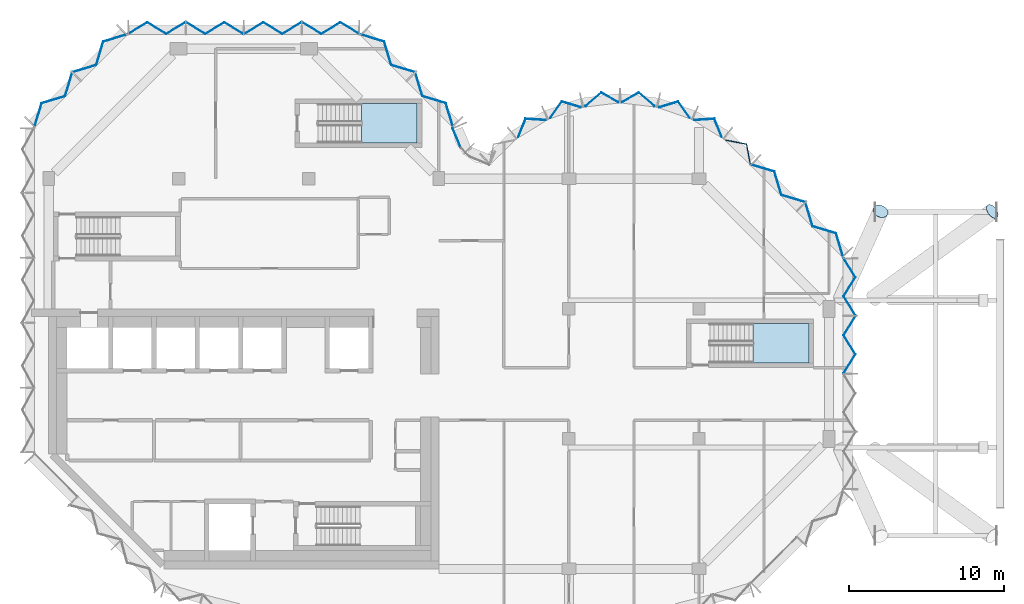
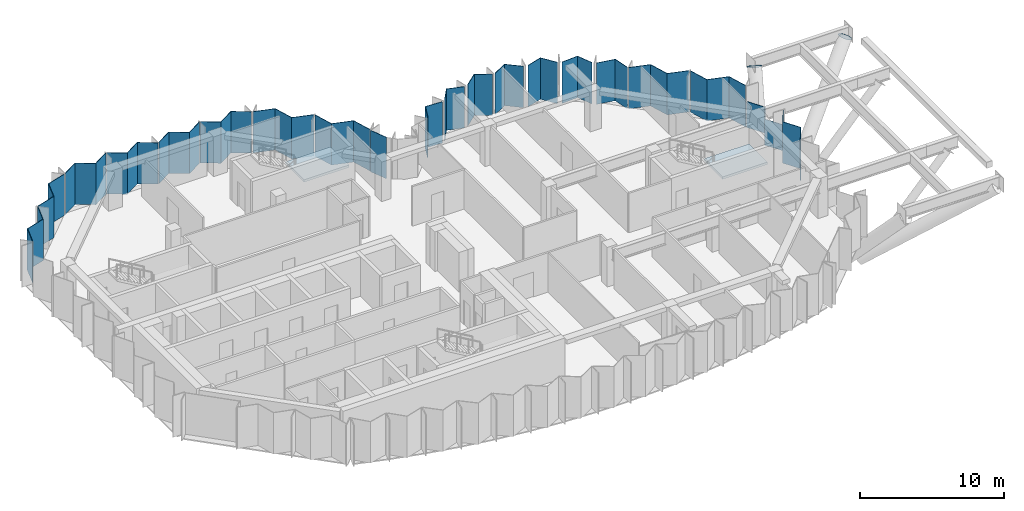
# One storey, part 4 of 11: 22 plates, 2 slabs, 9 elements without a shape of their own.
"""IFC4 building model written with IfcOpenShell, lengths in metres."""

from ifc_helpers import new_model, si_unit, direction, frame, origin, origin_2d, place, context, subcontext, project, spatial, polyline, circle, outline, extrude, material, layer, layer_set, material_profile, profile_set, type_object, element, aggregate, save


model = new_model("IFC4")

# Units and contexts
model_context = context("Model", 3, precision=1e-05, world=origin(), true_north=direction((0.0, 1.0)))
body_context = subcontext(model_context, "Body", "Model", "MODEL_VIEW")
ifc_project = project(units=[si_unit("LENGTHUNIT", "METRE"), si_unit("AREAUNIT", "SQUARE_METRE"), si_unit("VOLUMEUNIT", "CUBIC_METRE"), si_unit("PLANEANGLEUNIT", "RADIAN"), si_unit("MASSUNIT", "GRAM", prefix="KILO")], contexts=[model_context])

# Site, building, storey
site_placement = place(None, origin())
site = spatial("IfcSite", under=ifc_project, at=site_placement, CompositionType="ELEMENT")
building_placement = place(site_placement, origin())
building = spatial("IfcBuilding", under=site, at=building_placement, Name="Brevane Broadcast Tower", CompositionType="ELEMENT")
storey_placement = place(building_placement, frame((0.0, 0.0, 219.300048828125)))
storey = spatial("IfcBuildingStorey", under=building, at=storey_placement, Name="L55", CompositionType="ELEMENT", Elevation=219.300048828125)

# Curtain wall, plates
ifc_material_1 = material(Name="Aluminium 6063-T6 bronze anodised", Category="aluminium")
curtain_wall_type = type_object("IfcCurtainWallType", Name="CW-1 curtain wall", PredefinedType="NOTDEFINED", material=ifc_material_1)
curtain_wall_1_placement = place(storey_placement, origin())
curtain_wall_1 = element("IfcCurtainWall", 1, at=curtain_wall_1_placement, inside=storey, type_object=curtain_wall_type, Name="CW-1 typical tilted unit L55 east end", PredefinedType="NOTDEFINED")
ifc_material_2 = material(Name="Laminated glass bronze-tinted", Category="glass")
ifc_layer_1 = layer(ifc_material_2, 0.0400390625)
ifc_layer_set_1 = layer_set([ifc_layer_1], Name="CW glass panel 40")
plate_type_1 = type_object("IfcPlateType", Name="CW glass panel 40", PredefinedType="CURTAIN_PANEL", material=ifc_layer_set_1)
plate_1_placement = place(storey_placement, frame((0.0, 0.0, -0.150146484375)))
plate_1 = element("IfcPlate", 2, at=plate_1_placement, type_object=plate_type_1, Name="CW-1 glass panel", PredefinedType="CURTAIN_PANEL", context=body_context, shape_type="SweptSolid", body=[
    extrude(outline(polyline([(52.071044921875, 16.385009765625), (52.117919921875, 16.385009765625), (51.373291015625, 17.61181640625), (52.117919921875, 18.83837890625), (51.373291015625, 20.06494140625), (51.32666015625, 20.06494140625), (52.071044921875, 18.83837890625), (51.32666015625, 17.61181640625), (52.071044921875, 16.385009765625)])), origin(), (0.0, 0.0, 1.0), 2.2001953125),
])
ifc_layer_2 = layer(ifc_material_2, 0.0400390625)
ifc_layer_set_2 = layer_set([ifc_layer_2], Name="CW tall glass panel 40")
plate_type_2 = type_object("IfcPlateType", Name="CW tall glass panel 40", PredefinedType="CURTAIN_PANEL", material=ifc_layer_set_2)
plate_2_placement = place(storey_placement, frame((0.0, 0.0, -0.150146484375)))
plate_2 = element("IfcPlate", 3, at=plate_2_placement, type_object=plate_type_2, Name="CW-1 glass panel", PredefinedType="CURTAIN_PANEL", context=body_context, shape_type="SweptSolid", body=[
    extrude(outline(polyline([(51.32666015625, 12.635009765625), (51.373291015625, 12.635009765625), (52.117919921875, 13.86181640625), (51.373291015625, 15.08837890625), (52.117919921875, 16.31494140625), (52.071044921875, 16.31494140625), (51.32666015625, 15.08837890625), (52.071044921875, 13.86181640625), (51.32666015625, 12.635009765625)])), origin(), (0.0, 0.0, 1.0), 3.5),
])
aggregate(curtain_wall_1, [plate_2, plate_1])

curtain_wall_2_placement = place(storey_placement, origin())
curtain_wall_2 = element("IfcCurtainWall", 4, at=curtain_wall_2_placement, inside=storey, type_object=curtain_wall_type, Name="CW-1 typical tilted unit L55 north-east chamfer", PredefinedType="NOTDEFINED")
plate_3_placement = place(storey_placement, frame((0.0, 0.0, -0.150146484375)))
plate_3 = element("IfcPlate", 5, at=plate_3_placement, type_object=plate_type_2, Name="CW-1 glass panel", PredefinedType="CURTAIN_PANEL", context=body_context, shape_type="SweptSolid", body=[
    extrude(outline(polyline([(51.294677734375, 20.14404296875), (51.32666015625, 20.176025390625), (50.869384765625, 21.68603515625), (49.359619140625, 22.14306640625), (48.902587890625, 23.653076171875), (48.870361328125, 23.620849609375), (49.32763671875, 22.111083984375), (50.83740234375, 21.65380859375), (51.294677734375, 20.14404296875)])), origin(), (0.0, 0.0, 1.0), 3.5),
])
plate_4_placement = place(storey_placement, frame((0.0, 0.0, -0.150146484375)))
plate_4 = element("IfcPlate", 6, at=plate_4_placement, type_object=plate_type_2, Name="CW-1 glass panel", PredefinedType="CURTAIN_PANEL", context=body_context, shape_type="SweptSolid", body=[
    extrude(outline(polyline([(48.82080078125, 23.67041015625), (48.85302734375, 23.702392578125), (47.343017578125, 24.15966796875), (46.885986328125, 25.66943359375), (45.376220703125, 26.126708984375), (45.343994140625, 26.094482421875), (46.85400390625, 25.637451171875), (47.31103515625, 24.127685546875), (48.82080078125, 23.67041015625)])), origin(), (0.0, 0.0, 1.0), 3.5),
])
aggregate(curtain_wall_2, [plate_3, plate_4])

curtain_wall_3_placement = place(storey_placement, origin())
curtain_wall_3 = element("IfcCurtainWall", 7, at=curtain_wall_3_placement, inside=storey, type_object=curtain_wall_type, Name="CW-1 typical tilted unit L55 east bow", PredefinedType="NOTDEFINED")
plate_5_placement = place(storey_placement, frame((0.0, 0.0, -0.150146484375)))
plate_5 = element("IfcPlate", 8, at=plate_5_placement, type_object=plate_type_2, Name="CW-1 glass panel", PredefinedType="CURTAIN_PANEL", context=body_context, shape_type="SweptSolid", body=[
    extrude(outline(polyline([(45.2939453125, 26.14404296875), (45.327880859375, 26.17919921875), (45.086181640625, 27.447265625), (43.738525390625, 27.71142578125), (43.7109375, 27.67626953125), (45.052001953125, 27.4130859375), (45.2939453125, 26.14404296875)])), origin(), (0.0, 0.0, 1.0), 3.5),
])
plate_6_placement = place(storey_placement, frame((0.0, 0.0, -0.150146484375)))
plate_6 = element("IfcPlate", 9, at=plate_6_placement, type_object=plate_type_2, Name="CW-1 glass panel", PredefinedType="CURTAIN_PANEL", context=body_context, shape_type="SweptSolid", body=[
    extrude(outline(polyline([(43.45703125, 27.8759765625), (43.4853515625, 27.912109375), (43.00390625, 29.089111328125), (41.710693359375, 29.006591796875), (41.69091796875, 28.96533203125), (42.977783203125, 29.04736328125), (43.45703125, 27.8759765625)])), origin(), (0.0, 0.0, 1.0), 3.5),
])
plate_7_placement = place(storey_placement, frame((0.0, 0.0, -0.150146484375)))
plate_7 = element("IfcPlate", 10, at=plate_7_placement, type_object=plate_type_2, Name="CW-1 glass panel", PredefinedType="CURTAIN_PANEL", context=body_context, shape_type="SweptSolid", body=[
    extrude(outline(polyline([(41.3994140625, 29.104248046875), (41.4189453125, 29.1455078125), (40.667724609375, 30.20166015625), (39.45068359375, 29.83349609375), (39.440185546875, 29.78857421875), (40.65185546875, 30.155029296875), (41.3994140625, 29.104248046875)])), origin(), (0.0, 0.0, 1.0), 3.5),
])
plate_8_placement = place(storey_placement, frame((0.0, 0.0, -0.150146484375)))
plate_8 = element("IfcPlate", 11, at=plate_8_placement, type_object=plate_type_2, Name="CW-1 glass panel", PredefinedType="CURTAIN_PANEL", context=body_context, shape_type="SweptSolid", body=[
    extrude(outline(polyline([(39.125, 29.859619140625), (39.13525390625, 29.903564453125), (38.116943359375, 30.779296875), (37.008056640625, 30.15869140625), (37.008056640625, 30.11279296875), (38.112060546875, 30.730712890625), (39.125, 29.859619140625)])), origin(), (0.0, 0.0, 1.0), 3.5),
])
plate_9_placement = place(storey_placement, frame((0.0, 0.0, -0.150146484375)))
plate_9 = element("IfcPlate", 12, at=plate_9_placement, type_object=plate_type_2, Name="CW-1 glass panel", PredefinedType="CURTAIN_PANEL", context=body_context, shape_type="SweptSolid", body=[
    extrude(outline(polyline([(36.7919921875, 30.11279296875), (36.7919921875, 30.15869140625), (35.68310546875, 30.779296875), (34.664794921875, 29.903564453125), (34.6748046875, 29.859619140625), (35.68798828125, 30.730712890625), (36.7919921875, 30.11279296875)])), origin(), (0.0, 0.0, 1.0), 3.5),
])
plate_10_placement = place(storey_placement, frame((0.0, 0.0, -0.150146484375)))
plate_10 = element("IfcPlate", 13, at=plate_10_placement, type_object=plate_type_2, Name="CW-1 glass panel", PredefinedType="CURTAIN_PANEL", context=body_context, shape_type="SweptSolid", body=[
    extrude(outline(polyline([(34.359619140625, 29.78857421875), (34.349365234375, 29.83349609375), (33.132080078125, 30.20166015625), (32.381103515625, 29.1455078125), (32.400634765625, 29.104248046875), (33.148193359375, 30.155029296875), (34.359619140625, 29.78857421875)])), origin(), (0.0, 0.0, 1.0), 3.5),
])
plate_11_placement = place(storey_placement, frame((0.0, 0.0, -0.150146484375)))
plate_11 = element("IfcPlate", 14, at=plate_11_placement, type_object=plate_type_2, Name="CW-1 glass panel", PredefinedType="CURTAIN_PANEL", context=body_context, shape_type="SweptSolid", body=[
    extrude(outline(polyline([(32.10888671875, 28.96533203125), (32.08935546875, 29.006591796875), (30.7958984375, 29.089111328125), (30.314697265625, 27.912109375), (30.343017578125, 27.8759765625), (30.822265625, 29.04736328125), (32.10888671875, 28.96533203125)])), origin(), (0.0, 0.0, 1.0), 3.5),
])
aggregate(curtain_wall_3, [plate_5, plate_6, plate_7, plate_8, plate_9, plate_10, plate_11])

# Curtain wall, plate
curtain_wall_4_placement = place(storey_placement, origin())
curtain_wall_4 = element("IfcCurtainWall", 15, at=curtain_wall_4_placement, inside=storey, type_object=curtain_wall_type, Name="CW-1 typical tilted unit L55 inner corner", PredefinedType="NOTDEFINED")
plate_12_placement = place(storey_placement, frame((0.0, 0.0, -0.150146484375)))
plate_12 = element("IfcPlate", 16, at=plate_12_placement, type_object=plate_type_2, Name="CW-1 glass panel", PredefinedType="CURTAIN_PANEL", context=body_context, shape_type="SweptSolid", body=[
    extrude(outline(polyline([(26.60498046875, 27.17138671875), (26.635498046875, 27.2021484375), (26.111572265625, 28.466796875), (26.07470703125, 28.45166015625), (26.60498046875, 27.17138671875)])), origin(), (0.0, 0.0, 1.0), 3.5),
])
aggregate(curtain_wall_4, [plate_12])

# Curtain wall, plates
curtain_wall_5_placement = place(storey_placement, origin())
curtain_wall_5 = element("IfcCurtainWall", 17, at=curtain_wall_5_placement, inside=storey, type_object=curtain_wall_type, Name="CW-1 typical tilted unit L55 north arm north-east chamfer", PredefinedType="NOTDEFINED")
plate_13_placement = place(storey_placement, frame((0.0, 0.0, -0.150146484375)))
plate_13 = element("IfcPlate", 18, at=plate_13_placement, type_object=plate_type_2, Name="CW-1 glass panel", PredefinedType="CURTAIN_PANEL", context=body_context, shape_type="SweptSolid", body=[
    extrude(outline(polyline([(26.094482421875, 28.544189453125), (26.126708984375, 28.576171875), (25.66943359375, 30.0859375), (24.15966796875, 30.543212890625), (23.702392578125, 32.052978515625), (23.67041015625, 32.02099609375), (24.127685546875, 30.510986328125), (25.637451171875, 30.053955078125), (26.094482421875, 28.544189453125)])), origin(), (0.0, 0.0, 1.0), 3.5),
])
plate_14_placement = place(storey_placement, frame((0.0, 0.0, -0.150146484375)))
plate_14 = element("IfcPlate", 19, at=plate_14_placement, type_object=plate_type_2, Name="CW-1 glass panel", PredefinedType="CURTAIN_PANEL", context=body_context, shape_type="SweptSolid", body=[
    extrude(outline(polyline([(23.620849609375, 32.0703125), (23.653076171875, 32.1025390625), (22.14306640625, 32.5595703125), (21.68603515625, 34.069580078125), (20.176025390625, 34.526611328125), (20.14404296875, 34.49462890625), (21.65380859375, 34.037353515625), (22.111083984375, 32.527587890625), (23.620849609375, 32.0703125)])), origin(), (0.0, 0.0, 1.0), 3.5),
])
aggregate(curtain_wall_5, [plate_13, plate_14])

curtain_wall_6_placement = place(storey_placement, origin())
curtain_wall_6 = element("IfcCurtainWall", 20, at=curtain_wall_6_placement, inside=storey, type_object=curtain_wall_type, Name="CW-1 typical tilted unit L55 north end", PredefinedType="NOTDEFINED")
plate_15_placement = place(storey_placement, frame((0.0, 0.0, -0.150146484375)))
plate_15 = element("IfcPlate", 21, at=plate_15_placement, type_object=plate_type_2, Name="CW-1 glass panel", PredefinedType="CURTAIN_PANEL", context=body_context, shape_type="SweptSolid", body=[
    extrude(outline(polyline([(20.06494140625, 34.526611328125), (20.06494140625, 34.573486328125), (18.83837890625, 35.31787109375), (17.61181640625, 34.573486328125), (16.385009765625, 35.31787109375), (16.385009765625, 35.27099609375), (17.61181640625, 34.526611328125), (18.83837890625, 35.27099609375), (20.06494140625, 34.526611328125)])), origin(), (0.0, 0.0, 1.0), 3.5),
])
plate_16_placement = place(storey_placement, frame((0.0, 0.0, -0.150146484375)))
plate_16 = element("IfcPlate", 22, at=plate_16_placement, type_object=plate_type_2, Name="CW-1 glass panel", PredefinedType="CURTAIN_PANEL", context=body_context, shape_type="SweptSolid", body=[
    extrude(outline(polyline([(16.31494140625, 35.27099609375), (16.31494140625, 35.31787109375), (15.08837890625, 34.573486328125), (13.86181640625, 35.31787109375), (12.635009765625, 34.573486328125), (12.635009765625, 34.526611328125), (13.86181640625, 35.27099609375), (15.08837890625, 34.526611328125), (16.31494140625, 35.27099609375)])), origin(), (0.0, 0.0, 1.0), 3.5),
])
plate_17_placement = place(storey_placement, frame((0.0, 0.0, -0.150146484375)))
plate_17 = element("IfcPlate", 23, at=plate_17_placement, type_object=plate_type_2, Name="CW-1 glass panel", PredefinedType="CURTAIN_PANEL", context=body_context, shape_type="SweptSolid", body=[
    extrude(outline(polyline([(12.56494140625, 34.526611328125), (12.56494140625, 34.573486328125), (11.33837890625, 35.31787109375), (10.11181640625, 34.573486328125), (8.885009765625, 35.31787109375), (8.885009765625, 35.27099609375), (10.11181640625, 34.526611328125), (11.33837890625, 35.27099609375), (12.56494140625, 34.526611328125)])), origin(), (0.0, 0.0, 1.0), 3.5),
])
plate_18_placement = place(storey_placement, frame((0.0, 0.0, -0.150146484375)))
plate_18 = element("IfcPlate", 24, at=plate_18_placement, type_object=plate_type_2, Name="CW-1 glass panel", PredefinedType="CURTAIN_PANEL", context=body_context, shape_type="SweptSolid", body=[
    extrude(outline(polyline([(8.81494140625, 35.27099609375), (8.81494140625, 35.31787109375), (7.58837890625, 34.573486328125), (6.36181640625, 35.31787109375), (5.135009765625, 34.573486328125), (5.135009765625, 34.526611328125), (6.36181640625, 35.27099609375), (7.58837890625, 34.526611328125), (8.81494140625, 35.27099609375)])), origin(), (0.0, 0.0, 1.0), 3.5),
])
aggregate(curtain_wall_6, [plate_15, plate_16, plate_17, plate_18])

curtain_wall_7_placement = place(storey_placement, origin())
curtain_wall_7 = element("IfcCurtainWall", 25, at=curtain_wall_7_placement, inside=storey, type_object=curtain_wall_type, Name="CW-1 typical tilted unit L55 north-west chamfer", PredefinedType="NOTDEFINED")
plate_19_placement = place(storey_placement, frame((0.0, 0.0, -0.150146484375)))
plate_19 = element("IfcPlate", 26, at=plate_19_placement, type_object=plate_type_2, Name="CW-1 glass panel", PredefinedType="CURTAIN_PANEL", context=body_context, shape_type="SweptSolid", body=[
    extrude(outline(polyline([(5.055908203125, 34.49462890625), (5.02392578125, 34.526611328125), (3.513916015625, 34.069580078125), (3.056884765625, 32.5595703125), (1.547119140625, 32.1025390625), (1.5791015625, 32.0703125), (3.0888671875, 32.527587890625), (3.546142578125, 34.037353515625), (5.055908203125, 34.49462890625)])), origin(), (0.0, 0.0, 1.0), 3.5),
])
plate_20_placement = place(storey_placement, frame((0.0, 0.0, -0.150146484375)))
plate_20 = element("IfcPlate", 27, at=plate_20_placement, type_object=plate_type_2, Name="CW-1 glass panel", PredefinedType="CURTAIN_PANEL", context=body_context, shape_type="SweptSolid", body=[
    extrude(outline(polyline([(1.529541015625, 32.02099609375), (1.49755859375, 32.052978515625), (1.040283203125, 30.543212890625), (-0.469482421875, 30.0859375), (-0.926513671875, 28.576171875), (-0.89453125, 28.544189453125), (-0.4375, 30.053955078125), (1.072509765625, 30.510986328125), (1.529541015625, 32.02099609375)])), origin(), (0.0, 0.0, 1.0), 3.5),
])
aggregate(curtain_wall_7, [plate_19, plate_20])

# Stair, slab
ifc_material_3 = material(Name="Concrete C50/60", Category="concrete")
stair_type = type_object("IfcStairType", Name="Exit stair 22 risers", PredefinedType="HALF_TURN_STAIR", material=ifc_material_3)
stair_1_placement = place(storey_placement, origin())
stair_1 = element("IfcStair", 28, at=stair_1_placement, inside=storey, type_object=stair_type, Name="L55 Exit stair ST-3", PredefinedType="HALF_TURN_STAIR")
ifc_layer_3 = layer(ifc_material_3, 0.199951171875)
ifc_layer_set_3 = layer_set([ifc_layer_3], Name="Exit stair landing")
slab_type = type_object("IfcSlabType", Name="Exit stair landing", PredefinedType="LANDING", material=ifc_layer_set_3)
slab_1_placement = place(storey_placement, frame((0.0, 0.0, 1.599853515625)))
slab_1 = element("IfcSlab", 29, at=slab_1_placement, type_object=slab_type, Name="ST-3 landing 1", PredefinedType="LANDING", context=body_context, shape_type="SweptSolid", body=[
    extrude(outline(polyline([(20.199951171875, 27.5), (23.800048828125, 27.5), (23.800048828125, 30.050048828125), (20.199951171875, 30.050048828125), (20.199951171875, 27.5)])), origin(), (0.0, 0.0, 1.0), 0.2001953125),
])
aggregate(stair_1, [slab_1])

stair_2_placement = place(storey_placement, origin())
stair_2 = element("IfcStair", 30, at=stair_2_placement, inside=storey, type_object=stair_type, Name="L55 Exit stair ST-4", PredefinedType="HALF_TURN_STAIR")
slab_2_placement = place(storey_placement, frame((0.0, 0.0, 1.599853515625)))
slab_2 = element("IfcSlab", 31, at=slab_2_placement, type_object=slab_type, Name="ST-4 landing 1", PredefinedType="LANDING", context=body_context, shape_type="SweptSolid", body=[
    extrude(outline(polyline([(45.5, 13.300048828125), (49.10009765625, 13.300048828125), (49.10009765625, 15.85009765625), (45.5, 15.85009765625), (45.5, 13.300048828125)])), origin(), (0.0, 0.0, 1.0), 0.2001953125),
])
aggregate(stair_2, [slab_2])

# Plates
ifc_material_4 = material(Name="Steel S355", Category="steel")
ifc_material_profile = material_profile(ifc_material_4, circle(Radius=0.508056640625, at=origin_2d()), Name="PL 1016 DIA x 15")
ifc_profile_set = profile_set([ifc_material_profile], Name="Steel S355")
plate_type_3 = type_object("IfcPlateType", Name="STEEL END CAP PLATE 1016 DIA x 15", PredefinedType="SHEET", material=ifc_profile_set)
plate_21_placement = place(storey_placement, frame((53.716552734375, 23.087158203125, 2.336181640625), z_axis=(0.277313194367, 0.619876552115, 0.734064338031), x_axis=(-0.912818251895, 0.408366060058, 0.0)))
element("IfcPlate", 32, at=plate_21_placement, inside=storey, type_object=plate_type_3, Name="End cap plate EC3-56", PredefinedType="SHEET", context=body_context, shape_type="SweptSolid", body=[
    extrude(circle(Radius=0.508056640625, at=origin_2d()), origin(), (0.0, 0.0, 1.0), 0.014892578125),
])
plate_22_placement = place(storey_placement, frame((60.939697265625, 23.078857421875, 2.326416015625), z_axis=(0.664583362504, 0.486280509149, 0.567327260674), x_axis=(-0.590509994384, 0.807030325658, 0.0)))
element("IfcPlate", 33, at=plate_22_placement, inside=storey, type_object=plate_type_3, Name="End cap plate EC3-57", PredefinedType="SHEET", context=body_context, shape_type="SweptSolid", body=[
    extrude(circle(Radius=0.508056640625, at=origin_2d()), origin(), (0.0, 0.0, 1.0), 0.01513671875),
])

save(model, "model.ifc")
